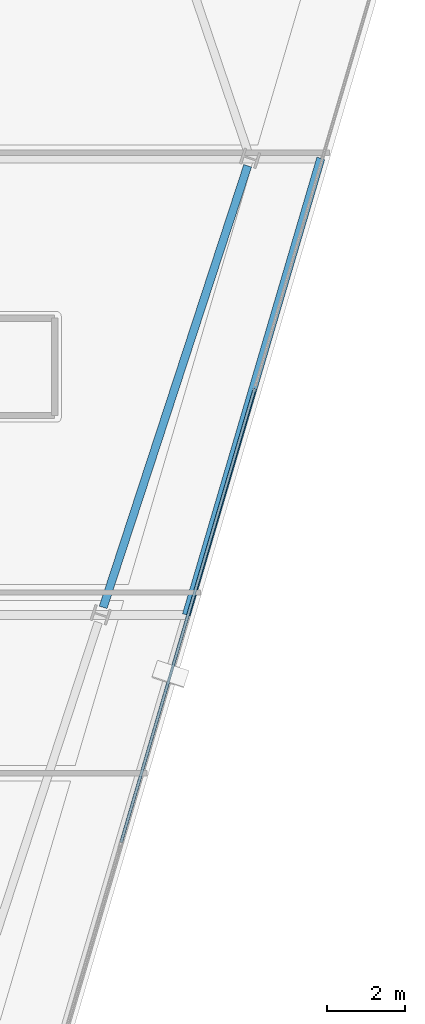
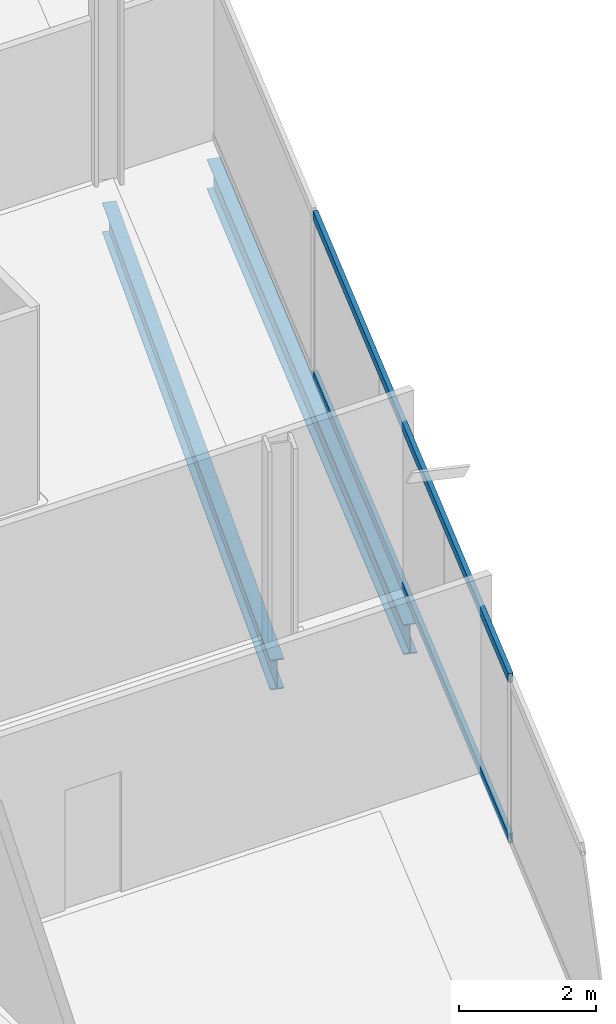
# One storey, part 11 of 26: 2 beams, 2 members, 1 element without a shape of its own.
"""IFC4 building model written with IfcOpenShell, lengths in metres."""

from ifc_helpers import new_model, si_unit, direction, frame, origin, origin_2d, place, context, subcontext, project, spatial, hollow_rectangle, i_section, extrude, material, material_profile, profile_set, type_object, element, aggregate, save


model = new_model("IFC4")

# Units and contexts
model_context = context("Model", 3, precision=1e-05, world=origin(), true_north=direction((0.0, 1.0)))
body_context = subcontext(model_context, "Body", "Model", "MODEL_VIEW")
ifc_project = project(units=[si_unit("LENGTHUNIT", "METRE"), si_unit("AREAUNIT", "SQUARE_METRE"), si_unit("VOLUMEUNIT", "CUBIC_METRE"), si_unit("PLANEANGLEUNIT", "RADIAN"), si_unit("MASSUNIT", "GRAM", prefix="KILO")], contexts=[model_context])

# Site, building, storey
site_placement = place(None, origin())
site = spatial("IfcSite", under=ifc_project, at=site_placement, CompositionType="ELEMENT")
building_placement = place(site_placement, origin())
building = spatial("IfcBuilding", under=site, at=building_placement, Name="Haldenkirk Collegiate Tower", CompositionType="ELEMENT")
storey_placement = place(building_placement, frame((0.0, 0.0, 274.949951171875)))
storey = spatial("IfcBuildingStorey", under=building, at=storey_placement, Name="L69", CompositionType="ELEMENT", Elevation=274.949951171875)

# Beams
ifc_material_1 = material(Name="Steel ASTM A992 Grade 50", Category="steel")
ifc_material_profile_1 = material_profile(ifc_material_1, i_section(OverallWidth=0.2099609375, OverallDepth=0.537109375, WebThickness=0.010986328125, FlangeThickness=0.017333984375, at=origin_2d()), Name="W21X68")
ifc_profile_set_1 = profile_set([ifc_material_profile_1], Name="Steel ASTM A992 Grade 50")
beam_type = type_object("IfcBeamType", Name="BM-SPANDREL-W21X68", PredefinedType="SPANDREL", material=ifc_profile_set_1)
beam_1_placement = place(storey_placement, frame((55.54638671875, 19.81689453125, -0.538330078125), z_axis=(0.311010188249, 0.950406577631, 0.0), x_axis=(-0.950406577631, 0.311010188249, 0.0)))
element("IfcBeam", 1, at=beam_1_placement, inside=storey, type_object=beam_type, Name="L69 perimeter spandrel beam 03", PredefinedType="SPANDREL", context=body_context, shape_type="SweptSolid", body=[
    extrude(i_section(OverallWidth=0.2099609375, OverallDepth=0.537109375, WebThickness=0.010986328125, FlangeThickness=0.017333984375, at=origin_2d()), origin(), (0.0, 0.0, 1.0), 11.94287109375),
])
beam_2_placement = place(storey_placement, frame((57.687255859375, 19.624267578125, -0.538330078125), z_axis=(0.28232730823, 0.95931813859, 0.0), x_axis=(-0.95931813859, 0.28232730823, 0.0)))
element("IfcBeam", 2, at=beam_2_placement, inside=storey, type_object=beam_type, Name="L69 outer facade edge beam 1B", PredefinedType="SPANDREL", context=body_context, shape_type="SweptSolid", body=[
    extrude(i_section(OverallWidth=0.2099609375, OverallDepth=0.537109375, WebThickness=0.010986328125, FlangeThickness=0.017333984375, at=origin_2d()), origin(), (0.0, 0.0, 1.0), 12.233642578125),
])

# Curtain wall, members
ifc_material_2 = material(Name="Anodised architectural bronze aluminium", Category="aluminium")
curtain_wall_type = type_object("IfcCurtainWallType", Name="CW-SYS2-CONCAVE", PredefinedType="USERDEFINED", material=ifc_material_2)
curtain_wall_placement = place(storey_placement, origin())
curtain_wall = element("IfcCurtainWall", 3, at=curtain_wall_placement, inside=storey, type_object=curtain_wall_type, Name="L69 South concave recessed bronze-anodised curtain wall", ObjectType="UNITISED CURTAIN WALL", PredefinedType="USERDEFINED")
ifc_material_profile_2 = material_profile(ifc_material_2, hollow_rectangle(XDim=0.074951171875, YDim=0.159912109375, WallThickness=0.0048828125, at=origin_2d()), Name="CW-TRN-02")
ifc_profile_set_2 = profile_set([ifc_material_profile_2], Name="Anodised architectural bronze aluminium")
member_type = type_object("IfcMemberType", Name="CW-TRN-02", PredefinedType="USERDEFINED", material=ifc_profile_set_2)
member_1_placement = place(storey_placement, frame((59.43994140625, 25.438232421875, 0.03759765625), z_axis=(-0.282329392632, -0.959317525148, 0.0), x_axis=(0.959317525148, -0.282329392632, 0.0)))
member_1 = element("IfcMember", 4, at=member_1_placement, type_object=member_type, Name="CW-02 transom 2.1", ObjectType="TRANSOM", PredefinedType="USERDEFINED", context=body_context, shape_type="SweptSolid", body=[
    extrude(hollow_rectangle(XDim=0.074951171875, YDim=0.159912109375, WallThickness=0.0048828125, at=origin_2d()), origin(), (0.0, 0.0, 1.0), 12.158203125),
])
member_2_placement = place(storey_placement, frame((59.43994140625, 25.438232421875, 2.900634765625), z_axis=(-0.282329392632, -0.959317525148, 0.0), x_axis=(0.959317525148, -0.282329392632, 0.0)))
member_2 = element("IfcMember", 5, at=member_2_placement, type_object=member_type, Name="CW-02 transom 2.2", ObjectType="TRANSOM", PredefinedType="USERDEFINED", context=body_context, shape_type="SweptSolid", body=[
    extrude(hollow_rectangle(XDim=0.074951171875, YDim=0.159912109375, WallThickness=0.0048828125, at=origin_2d()), origin(), (0.0, 0.0, 1.0), 12.158203125),
])
aggregate(curtain_wall, [member_1, member_2])

save(model, "model.ifc")
